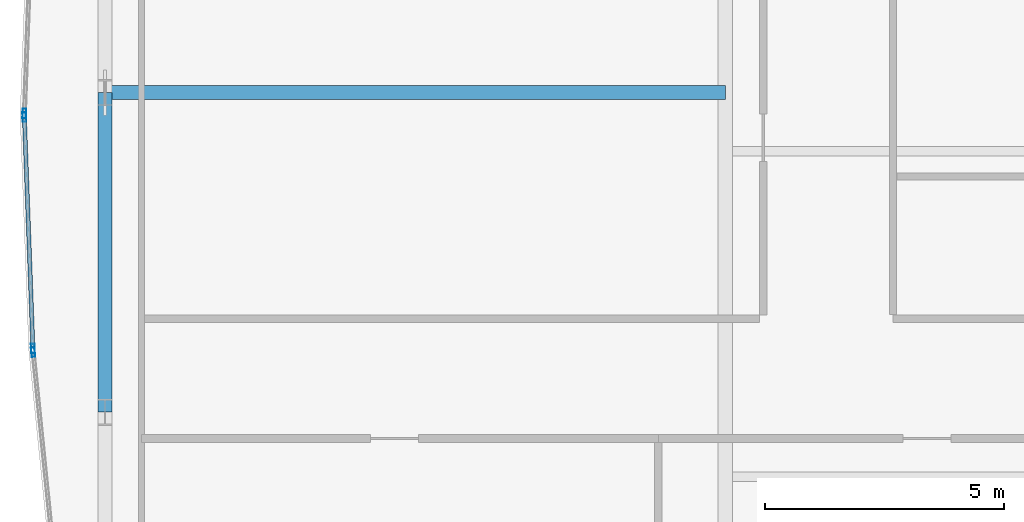
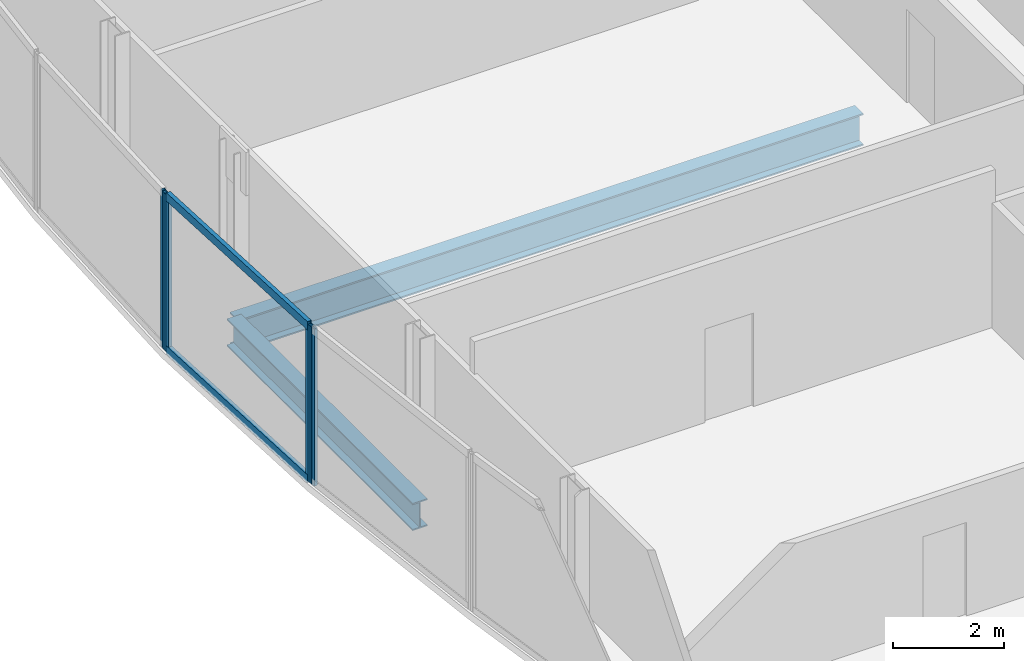
# One storey, part 10 of 29: 6 members, 2 beams, 3 elements without a shape of their own.
"""IFC4 building model written with IfcOpenShell, lengths in metres."""

from ifc_helpers import new_model, si_unit, direction, frame, origin, origin_2d, place, context, subcontext, project, spatial, hollow_rectangle, i_section, extrude, material, material_profile, profile_set, type_object, element, aggregate, save


model = new_model("IFC4")

# Units and contexts
model_context = context("Model", 3, precision=1e-05, world=origin(), true_north=direction((0.0, 1.0)))
body_context = subcontext(model_context, "Body", "Model", "MODEL_VIEW")
ifc_project = project(units=[si_unit("LENGTHUNIT", "METRE"), si_unit("AREAUNIT", "SQUARE_METRE"), si_unit("VOLUMEUNIT", "CUBIC_METRE"), si_unit("PLANEANGLEUNIT", "RADIAN"), si_unit("MASSUNIT", "GRAM", prefix="KILO")], contexts=[model_context])

# Site, building, storey
site_placement = place(None, origin())
site = spatial("IfcSite", under=ifc_project, at=site_placement, CompositionType="ELEMENT")
building_placement = place(site_placement, origin())
building = spatial("IfcBuilding", under=site, at=building_placement, Name="Khoronbel Lancet Exchange", CompositionType="ELEMENT")
storey_placement = place(building_placement, frame((0.0, 0.0, 177.0)))
storey = spatial("IfcBuildingStorey", under=building, at=storey_placement, Name="L44", CompositionType="ELEMENT", Elevation=177.0)

# Beams
ifc_material_1 = material(Name="Steel S355", Category="steel")
ifc_material_profile_1 = material_profile(ifc_material_1, i_section(OverallWidth=0.300048828125, OverallDepth=0.699951171875, WebThickness=0.01708984375, FlangeThickness=0.031982421875, at=origin_2d()), Name="HEB 700")
ifc_profile_set_1 = profile_set([ifc_material_profile_1], Name="Steel S355")
beam_type_1 = type_object("IfcBeamType", Name="BM-BG3", PredefinedType="BEAM", material=ifc_profile_set_1)
beam_1_placement = place(storey_placement, frame((5.27001953125, 31.425048828125, -0.510009765625), z_axis=(1.0, 0.0, 0.0), x_axis=(0.0, 1.0, 0.0)))
element("IfcBeam", 1, at=beam_1_placement, inside=storey, type_object=beam_type_1, Name="Level L44 west lens tie girder LG2W", PredefinedType="BEAM", context=body_context, shape_type="SweptSolid", body=[
    extrude(i_section(OverallWidth=0.300048828125, OverallDepth=0.699951171875, WebThickness=0.01708984375, FlangeThickness=0.031982421875, at=origin_2d()), origin(), (0.0, 0.0, 1.0), 12.955078125),
])
ifc_material_profile_2 = material_profile(ifc_material_1, i_section(OverallWidth=0.300048828125, OverallDepth=0.60009765625, WebThickness=0.015380859375, FlangeThickness=0.030029296875, at=origin_2d()), Name="HEB 600")
ifc_profile_set_2 = profile_set([ifc_material_profile_2], Name="Steel S355")
beam_type_2 = type_object("IfcBeamType", Name="BM-BSP2", PredefinedType="SPANDREL", material=ifc_profile_set_2)
beam_2_placement = place(storey_placement, frame((5.27001953125, 31.425048828125, -0.4599609375), z_axis=(0.0, -1.0, 0.0), x_axis=(1.0, 0.0, 0.0)))
element("IfcBeam", 2, at=beam_2_placement, inside=storey, type_object=beam_type_2, Name="Level L44 perimeter spandrel beam SP19", PredefinedType="SPANDREL", context=body_context, shape_type="SweptSolid", body=[
    extrude(i_section(OverallWidth=0.300048828125, OverallDepth=0.60009765625, WebThickness=0.015380859375, FlangeThickness=0.030029296875, at=origin_2d()), origin(), (0.0, 0.0, 1.0), 6.675048828125),
])

# Curtain wall, member
ifc_material_2 = material(Name="Low-E Solar Control Insulating Glass", Category="glass")
curtain_wall_type = type_object("IfcCurtainWallType", Name="CW-4", PredefinedType="NOTDEFINED", material=ifc_material_2)
curtain_wall_1_placement = place(storey_placement, origin())
curtain_wall_1 = element("IfcCurtainWall", 3, at=curtain_wall_1_placement, inside=storey, type_object=curtain_wall_type, Name="Unitised curtain wall CW-L44-E05", PredefinedType="NOTDEFINED")
ifc_material_3 = material(Name="Bronze-Anodised Aluminium 6063-T6", Category="aluminium")
ifc_material_profile_3 = material_profile(ifc_material_3, hollow_rectangle(XDim=0.074951171875, YDim=0.199951171875, WallThickness=0.0048828125, at=origin_2d()), Name="ALU MULLION 75x200")
ifc_profile_set_3 = profile_set([ifc_material_profile_3], Name="Bronze-Anodised Aluminium 6063-T6")
member_type_1 = type_object("IfcMemberType", Name="MEM-CWM2", PredefinedType="MULLION", material=ifc_profile_set_3)
member_1_placement = place(storey_placement, frame((3.769775390625, 26.002197265625, 0.0), z_axis=(0.0, 0.0, 1.0), x_axis=(-0.994946738202, -0.10040412412, 0.0)))
member_1 = element("IfcMember", 4, at=member_1_placement, type_object=member_type_1, Name="CW4 mullion 2", PredefinedType="MULLION", context=body_context, shape_type="SweptSolid", body=[
    extrude(hollow_rectangle(XDim=0.074951171875, YDim=0.199951171875, WallThickness=0.0048828125, at=origin_2d()), origin(), (0.0, 0.0, 1.0), 3.43994140625),
])
aggregate(curtain_wall_1, [member_1])

# Curtain wall, members
curtain_wall_2_placement = place(storey_placement, origin())
curtain_wall_2 = element("IfcCurtainWall", 5, at=curtain_wall_2_placement, inside=storey, type_object=curtain_wall_type, Name="Unitised curtain wall CW-L44-E06", PredefinedType="NOTDEFINED")
member_2_placement = place(storey_placement, frame((3.7646484375, 26.076904296875, 0.0), z_axis=(0.0, 0.0, 1.0), x_axis=(-0.999319120197, -0.036895745143, 0.0)))
member_2 = element("IfcMember", 6, at=member_2_placement, type_object=member_type_1, Name="CW4 mullion 1", PredefinedType="MULLION", context=body_context, shape_type="SweptSolid", body=[
    extrude(hollow_rectangle(XDim=0.074951171875, YDim=0.199951171875, WallThickness=0.0048828125, at=origin_2d()), origin(), (0.0, 0.0, 1.0), 3.43994140625),
])
member_3_placement = place(storey_placement, frame((3.586181640625, 30.91259765625, 0.0), z_axis=(0.0, 0.0, 1.0), x_axis=(-0.999319120197, -0.036895745143, 0.0)))
member_3 = element("IfcMember", 7, at=member_3_placement, type_object=member_type_1, Name="CW4 mullion 2", PredefinedType="MULLION", context=body_context, shape_type="SweptSolid", body=[
    extrude(hollow_rectangle(XDim=0.074951171875, YDim=0.199951171875, WallThickness=0.0048828125, at=origin_2d()), origin(), (0.0, 0.0, 1.0), 3.43994140625),
])

# Curtain wall, member
curtain_wall_3_placement = place(storey_placement, origin())
curtain_wall_3 = element("IfcCurtainWall", 8, at=curtain_wall_3_placement, inside=storey, type_object=curtain_wall_type, Name="Unitised curtain wall CW-L44-E07", PredefinedType="NOTDEFINED")
member_4_placement = place(storey_placement, frame((3.586181640625, 30.987548828125, 0.0), z_axis=(0.0, 0.0, 1.0), x_axis=(-0.999319120197, 0.036895745143, 0.0)))
member_4 = element("IfcMember", 9, at=member_4_placement, type_object=member_type_1, Name="CW4 mullion 1", PredefinedType="MULLION", context=body_context, shape_type="SweptSolid", body=[
    extrude(hollow_rectangle(XDim=0.074951171875, YDim=0.199951171875, WallThickness=0.0048828125, at=origin_2d()), origin(), (0.0, 0.0, 1.0), 3.43994140625),
])
aggregate(curtain_wall_3, [member_4])

# Member
ifc_material_profile_4 = material_profile(ifc_material_3, hollow_rectangle(XDim=0.0849609375, YDim=0.179931640625, WallThickness=0.0048828125, at=origin_2d()), Name="ALU TRANSOM 85x180")
ifc_profile_set_4 = profile_set([ifc_material_profile_4], Name="Bronze-Anodised Aluminium 6063-T6")
member_type_2 = type_object("IfcMemberType", Name="MEM-CWT1", PredefinedType="USERDEFINED", material=ifc_profile_set_4)
member_5_placement = place(storey_placement, frame((3.76318359375, 26.114501953125, 0.04248046875), z_axis=(-0.036899823484, 0.999318969612, 0.0), x_axis=(-0.999318969612, -0.036899823484, 0.0)))
member_5 = element("IfcMember", 10, at=member_5_placement, type_object=member_type_2, Name="CW4 transom 1.1", ObjectType="TRANSOM", PredefinedType="USERDEFINED", context=body_context, shape_type="SweptSolid", body=[
    extrude(hollow_rectangle(XDim=0.0849609375, YDim=0.179931640625, WallThickness=0.0048828125, at=origin_2d()), origin(), (0.0, 0.0, 1.0), 4.763671875),
])

member_6_placement = place(storey_placement, frame((3.76318359375, 26.114501953125, 3.3974609375), z_axis=(-0.036899823484, 0.999318969612, 0.0), x_axis=(-0.999318969612, -0.036899823484, 0.0)))
member_6 = element("IfcMember", 11, at=member_6_placement, type_object=member_type_2, Name="CW4 transom 1.2", ObjectType="TRANSOM", PredefinedType="USERDEFINED", context=body_context, shape_type="SweptSolid", body=[
    extrude(hollow_rectangle(XDim=0.0849609375, YDim=0.179931640625, WallThickness=0.0048828125, at=origin_2d()), origin(), (0.0, 0.0, 1.0), 4.763671875),
])

aggregate(curtain_wall_2, [member_2, member_3, member_5, member_6])

save(model, "model.ifc")
